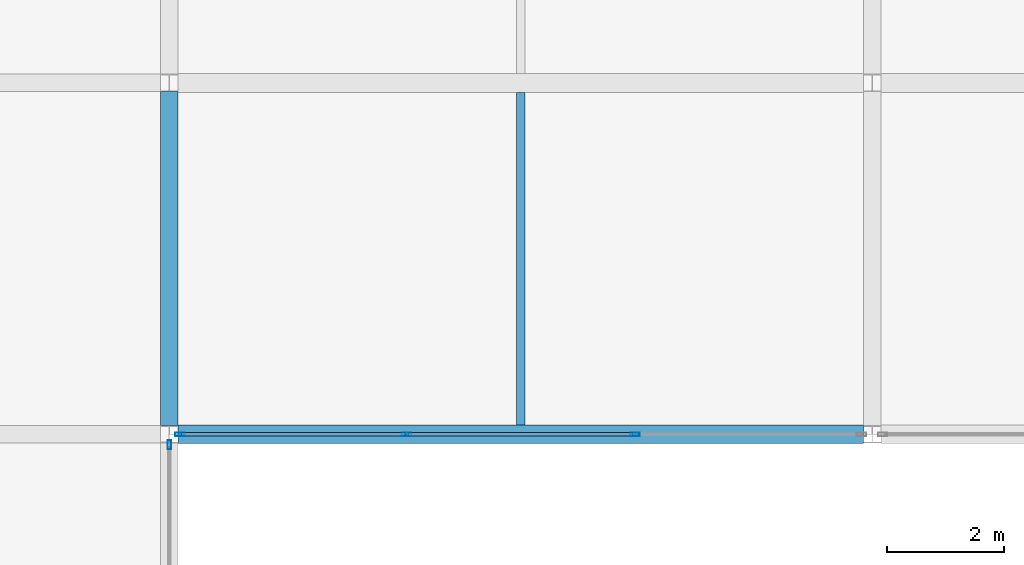
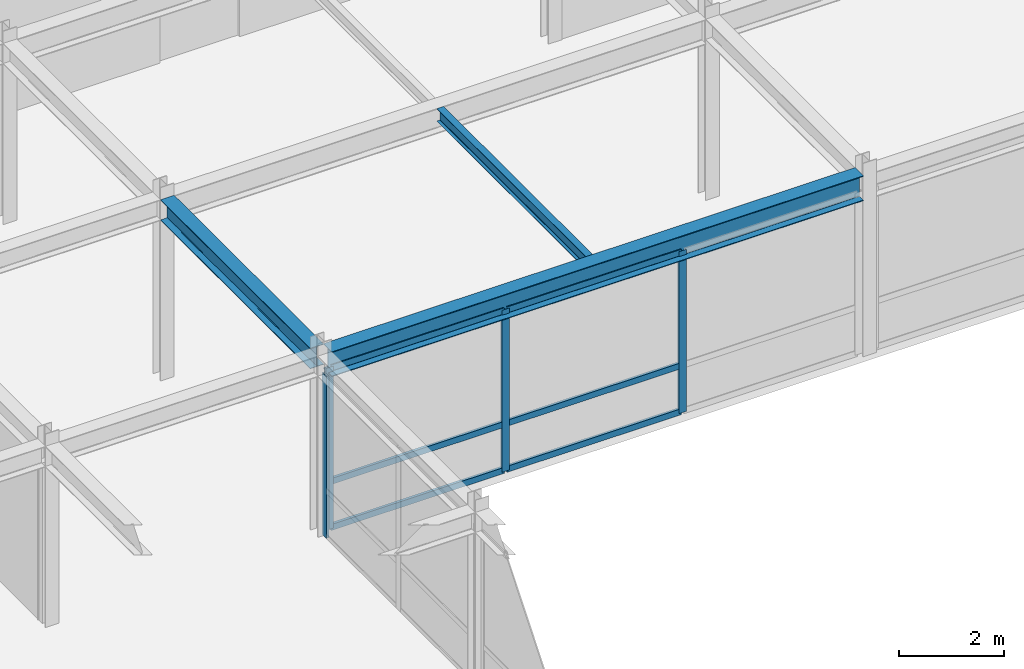
# One storey, part 76 of 108: 10 members, 3 beams, 2 elements without a shape of their own.
"""IFC4 building model written with IfcOpenShell, lengths in metres."""

from ifc_helpers import new_model, si_unit, direction, frame, origin, origin_2d, place, context, subcontext, project, spatial, hollow_rectangle, i_section, extrude, material, layer, layer_set, material_profile, profile_set, type_object, element, aggregate, save


model = new_model("IFC4")

# Units and contexts
model_context = context("Model", 3, precision=1e-05, world=origin(), true_north=direction((0.0, 1.0)))
body_context = subcontext(model_context, "Body", "Model", "MODEL_VIEW")
ifc_project = project(units=[si_unit("LENGTHUNIT", "METRE"), si_unit("AREAUNIT", "SQUARE_METRE"), si_unit("VOLUMEUNIT", "CUBIC_METRE"), si_unit("PLANEANGLEUNIT", "RADIAN"), si_unit("MASSUNIT", "GRAM", prefix="KILO")], contexts=[model_context])

# Site, building, storey
site_placement = place(None, origin())
site = spatial("IfcSite", under=ifc_project, at=site_placement, CompositionType="ELEMENT")
building_placement = place(site_placement, origin())
building = spatial("IfcBuilding", under=site, at=building_placement, Name="Zlatovratsky Civic Hall", CompositionType="ELEMENT")
storey_placement = place(building_placement, frame((0.0, 0.0, 12.0)))
storey = spatial("IfcBuildingStorey", under=building, at=storey_placement, Name="L03", CompositionType="ELEMENT", Elevation=12.0)

# Beams
ifc_material_1 = material(Name="Steel S355", Category="steel")
ifc_material_profile_1 = material_profile(ifc_material_1, i_section(OverallWidth=0.300048828125, OverallDepth=0.48193359375, WebThickness=0.010986328125, FlangeThickness=0.014892578125, FilletRadius=0.02392578125, at=origin_2d()), Name="50Sh1")
ifc_profile_set_1 = profile_set([ifc_material_profile_1], Name="Steel S355")
beam_type_1 = type_object("IfcBeamType", Name="Beam_LibraryGirder_50Sh1", PredefinedType="BEAM", material=ifc_profile_set_1)
beam_1_placement = place(storey_placement, frame((120.0, 66.14794921875, 3.97900390625), z_axis=(0.0, 1.0, 0.0), x_axis=(-1.0, 0.0, 0.0)))
element("IfcBeam", 1, at=beam_1_placement, inside=storey, type_object=beam_type_1, Name="BM-3039", PredefinedType="BEAM", context=body_context, shape_type="SweptSolid", body=[
    extrude(i_section(OverallWidth=0.300048828125, OverallDepth=0.48193359375, WebThickness=0.010986328125, FlangeThickness=0.014892578125, FilletRadius=0.02392578125, at=origin_2d()), origin(), (0.0, 0.0, 1.0), 5.7041015625),
])
ifc_material_profile_2 = material_profile(ifc_material_1, i_section(OverallWidth=0.320068359375, OverallDepth=0.58203125, WebThickness=0.011962890625, FlangeThickness=0.01708984375, FilletRadius=0.02392578125, at=origin_2d()), Name="60Sh1")
ifc_profile_set_2 = profile_set([ifc_material_profile_2], Name="Steel S355")
beam_type_2 = type_object("IfcBeamType", Name="Beam_PodiumGirder_60Sh1", PredefinedType="BEAM", material=ifc_profile_set_2)
beam_2_placement = place(storey_placement, frame((120.1494140625, 66.0, 3.928955078125), z_axis=(1.0, 0.0, 0.0), x_axis=(0.0, 1.0, 0.0)))
element("IfcBeam", 2, at=beam_2_placement, inside=storey, type_object=beam_type_2, Name="BM-2616", PredefinedType="BEAM", context=body_context, shape_type="SweptSolid", body=[
    extrude(i_section(OverallWidth=0.320068359375, OverallDepth=0.58203125, WebThickness=0.011962890625, FlangeThickness=0.01708984375, FilletRadius=0.02392578125, at=origin_2d()), origin(), (0.0, 0.0, 1.0), 11.701171875),
])

# Curtain wall, members
ifc_material_2 = material(Name="Anodised bronze aluminium", Category="aluminium")
ifc_layer_1 = layer(ifc_material_2, 0.159912109375)
ifc_layer_set_1 = layer_set([ifc_layer_1], Name="Anodised bronze aluminium")
curtain_wall_type_1 = type_object("IfcCurtainWallType", Name="CurtainWall_Bronze_11700x3770_11", PredefinedType="NOTDEFINED", material=ifc_layer_set_1)
curtain_wall_1_placement = place(storey_placement, origin())
curtain_wall_1 = element("IfcCurtainWall", 3, at=curtain_wall_1_placement, inside=storey, type_object=curtain_wall_type_1, Name="CW-072", PredefinedType="NOTDEFINED")
ifc_material_profile_3 = material_profile(ifc_material_2, hollow_rectangle(XDim=0.06005859375, YDim=0.159912109375, WallThickness=0.00390625, at=origin_2d()), Name="ALU 60x160x4")
ifc_profile_set_3 = profile_set([ifc_material_profile_3], Name="Anodised bronze aluminium")
member_type_1 = type_object("IfcMemberType", Name="CW_Mullion_60x160", PredefinedType="MULLION", material=ifc_profile_set_3)
member_1_placement = place(storey_placement, frame((120.179443359375, 66.0, 0.0), z_axis=(0.0, 0.0, 1.0), x_axis=(0.0, 1.0, 0.0)))
member_1 = element("IfcMember", 4, at=member_1_placement, type_object=member_type_1, Name="CW-11 mullion 1", PredefinedType="MULLION", context=body_context, shape_type="SweptSolid", body=[
    extrude(hollow_rectangle(XDim=0.06005859375, YDim=0.159912109375, WallThickness=0.00390625, at=origin_2d()), origin(), (0.0, 0.0, 1.0), 3.77001953125),
])
member_2_placement = place(storey_placement, frame((124.0498046875, 66.0, 0.0), z_axis=(0.0, 0.0, 1.0), x_axis=(0.0, 1.0, 0.0)))
member_2 = element("IfcMember", 5, at=member_2_placement, type_object=member_type_1, Name="CW-11 mullion 2", PredefinedType="MULLION", context=body_context, shape_type="SweptSolid", body=[
    extrude(hollow_rectangle(XDim=0.06005859375, YDim=0.159912109375, WallThickness=0.00390625, at=origin_2d()), origin(), (0.0, 0.0, 1.0), 3.77001953125),
])
member_3_placement = place(storey_placement, frame((127.9501953125, 66.0, 0.0), z_axis=(0.0, 0.0, 1.0), x_axis=(0.0, 1.0, 0.0)))
member_3 = element("IfcMember", 6, at=member_3_placement, type_object=member_type_1, Name="CW-11 mullion 3", PredefinedType="MULLION", context=body_context, shape_type="SweptSolid", body=[
    extrude(hollow_rectangle(XDim=0.06005859375, YDim=0.159912109375, WallThickness=0.00390625, at=origin_2d()), origin(), (0.0, 0.0, 1.0), 3.77001953125),
])

# Curtain wall, member
ifc_layer_2 = layer(ifc_material_2, 0.159912109375)
ifc_layer_set_2 = layer_set([ifc_layer_2], Name="Anodised bronze aluminium")
curtain_wall_type_2 = type_object("IfcCurtainWallType", Name="CurtainWall_Bronze_5700x3770_12", PredefinedType="NOTDEFINED", material=ifc_layer_set_2)
curtain_wall_2_placement = place(storey_placement, origin())
curtain_wall_2 = element("IfcCurtainWall", 7, at=curtain_wall_2_placement, inside=storey, type_object=curtain_wall_type_2, Name="CW-080", PredefinedType="NOTDEFINED")
member_4_placement = place(storey_placement, frame((120.0, 65.822021484375, 0.0), z_axis=(0.0, 0.0, 1.0), x_axis=(-1.0, 0.0, 0.0)))
member_4 = element("IfcMember", 8, at=member_4_placement, type_object=member_type_1, Name="CW-12 mullion 3", PredefinedType="MULLION", context=body_context, shape_type="SweptSolid", body=[
    extrude(hollow_rectangle(XDim=0.06005859375, YDim=0.159912109375, WallThickness=0.00390625, at=origin_2d()), origin(), (0.0, 0.0, 1.0), 3.77001953125),
])
aggregate(curtain_wall_2, [member_4])

# Member
ifc_material_profile_4 = material_profile(ifc_material_2, hollow_rectangle(XDim=0.06005859375, YDim=0.139892578125, WallThickness=0.00390625, at=origin_2d()), Name="ALU 60x140x4")
ifc_profile_set_4 = profile_set([ifc_material_profile_4], Name="Anodised bronze aluminium")
member_type_2 = type_object("IfcMemberType", Name="CW_Transom_60x140", PredefinedType="USERDEFINED", material=ifc_profile_set_4)
member_5_placement = place(storey_placement, frame((120.20947265625, 66.0, 0.030029296875), z_axis=(1.0, 0.0, 0.0), x_axis=(0.0, 1.0, 0.0)))
member_5 = element("IfcMember", 9, at=member_5_placement, type_object=member_type_2, Name="CW-11 transom 1.1", ObjectType="TRANSOM", PredefinedType="USERDEFINED", context=body_context, shape_type="SweptSolid", body=[
    extrude(hollow_rectangle(XDim=0.06005859375, YDim=0.139892578125, WallThickness=0.00390625, at=origin_2d()), origin(), (0.0, 0.0, 1.0), 3.810302734375),
])

member_6_placement = place(storey_placement, frame((120.20947265625, 66.0, 1.10009765625), z_axis=(1.0, 0.0, 0.0), x_axis=(0.0, 1.0, 0.0)))
member_6 = element("IfcMember", 10, at=member_6_placement, type_object=member_type_2, Name="CW-11 transom 1.2", ObjectType="TRANSOM", PredefinedType="USERDEFINED", context=body_context, shape_type="SweptSolid", body=[
    extrude(hollow_rectangle(XDim=0.06005859375, YDim=0.139892578125, WallThickness=0.00390625, at=origin_2d()), origin(), (0.0, 0.0, 1.0), 3.810302734375),
])

member_7_placement = place(storey_placement, frame((120.20947265625, 66.0, 3.739990234375), z_axis=(1.0, 0.0, 0.0), x_axis=(0.0, 1.0, 0.0)))
member_7 = element("IfcMember", 11, at=member_7_placement, type_object=member_type_2, Name="CW-11 transom 1.3", ObjectType="TRANSOM", PredefinedType="USERDEFINED", context=body_context, shape_type="SweptSolid", body=[
    extrude(hollow_rectangle(XDim=0.06005859375, YDim=0.139892578125, WallThickness=0.00390625, at=origin_2d()), origin(), (0.0, 0.0, 1.0), 3.810302734375),
])

member_8_placement = place(storey_placement, frame((124.079833984375, 66.0, 0.030029296875), z_axis=(1.0, 0.0, 0.0), x_axis=(0.0, 1.0, 0.0)))
member_8 = element("IfcMember", 12, at=member_8_placement, type_object=member_type_2, Name="CW-11 transom 2.1", ObjectType="TRANSOM", PredefinedType="USERDEFINED", context=body_context, shape_type="SweptSolid", body=[
    extrude(hollow_rectangle(XDim=0.06005859375, YDim=0.139892578125, WallThickness=0.00390625, at=origin_2d()), origin(), (0.0, 0.0, 1.0), 3.84033203125),
])

member_9_placement = place(storey_placement, frame((124.079833984375, 66.0, 1.10009765625), z_axis=(1.0, 0.0, 0.0), x_axis=(0.0, 1.0, 0.0)))
member_9 = element("IfcMember", 13, at=member_9_placement, type_object=member_type_2, Name="CW-11 transom 2.2", ObjectType="TRANSOM", PredefinedType="USERDEFINED", context=body_context, shape_type="SweptSolid", body=[
    extrude(hollow_rectangle(XDim=0.06005859375, YDim=0.139892578125, WallThickness=0.00390625, at=origin_2d()), origin(), (0.0, 0.0, 1.0), 3.84033203125),
])

member_10_placement = place(storey_placement, frame((124.079833984375, 66.0, 3.739990234375), z_axis=(1.0, 0.0, 0.0), x_axis=(0.0, 1.0, 0.0)))
member_10 = element("IfcMember", 14, at=member_10_placement, type_object=member_type_2, Name="CW-11 transom 2.3", ObjectType="TRANSOM", PredefinedType="USERDEFINED", context=body_context, shape_type="SweptSolid", body=[
    extrude(hollow_rectangle(XDim=0.06005859375, YDim=0.139892578125, WallThickness=0.00390625, at=origin_2d()), origin(), (0.0, 0.0, 1.0), 3.84033203125),
])

aggregate(curtain_wall_1, [member_1, member_2, member_3, member_5, member_6, member_7, member_8, member_9, member_10])

# Beam
ifc_material_profile_5 = material_profile(ifc_material_1, i_section(OverallWidth=0.14892578125, OverallDepth=0.2958984375, WebThickness=0.005615234375, FlangeThickness=0.008056640625, FilletRadius=0.012939453125, at=origin_2d()), Name="30B1")
ifc_profile_set_5 = profile_set([ifc_material_profile_5], Name="Steel S355")
beam_type_3 = type_object("IfcBeamType", Name="Joist_Tower_30B1", PredefinedType="JOIST", material=ifc_profile_set_5)
beam_3_placement = place(storey_placement, frame((126.0, 66.159912109375, 4.072021484375), z_axis=(0.0, 1.0, 0.0), x_axis=(-1.0, 0.0, 0.0)))
element("IfcBeam", 15, at=beam_3_placement, inside=storey, type_object=beam_type_3, Name="BM-3153", PredefinedType="JOIST", context=body_context, shape_type="SweptSolid", body=[
    extrude(i_section(OverallWidth=0.14892578125, OverallDepth=0.2958984375, WebThickness=0.005615234375, FlangeThickness=0.008056640625, FilletRadius=0.012939453125, at=origin_2d()), origin(), (0.0, 0.0, 1.0), 5.68017578125),
])

save(model, "model.ifc")
